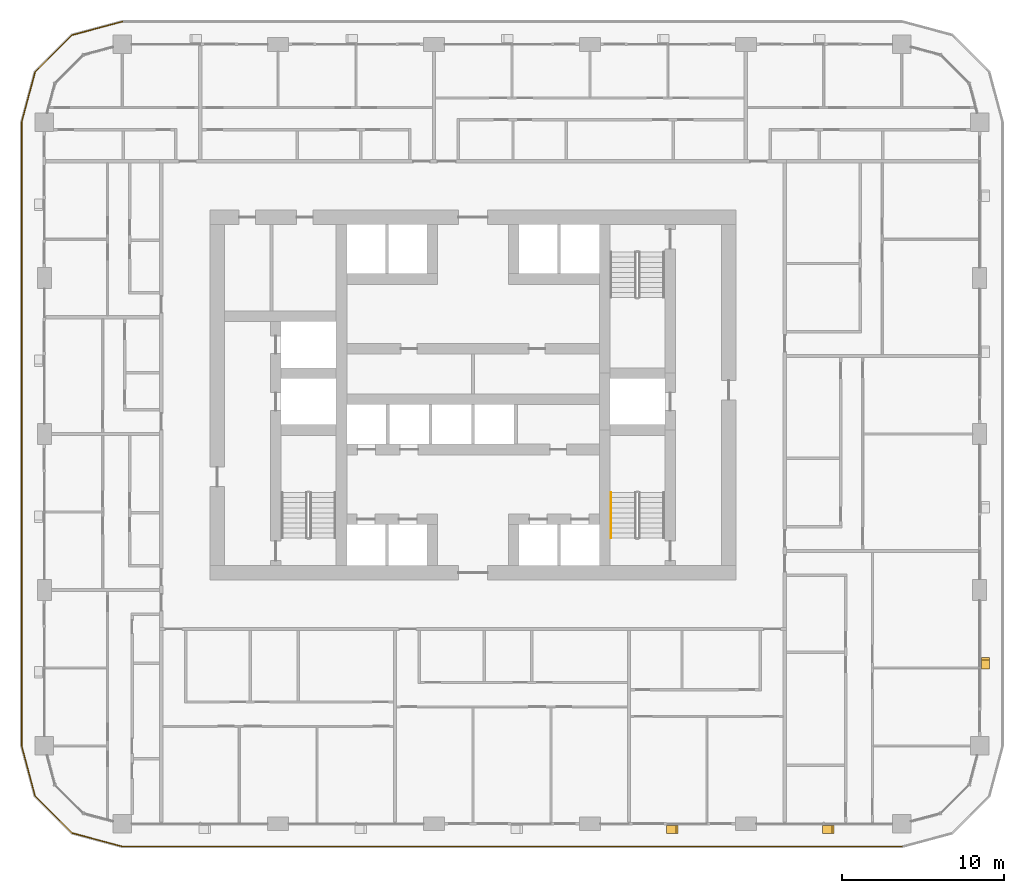
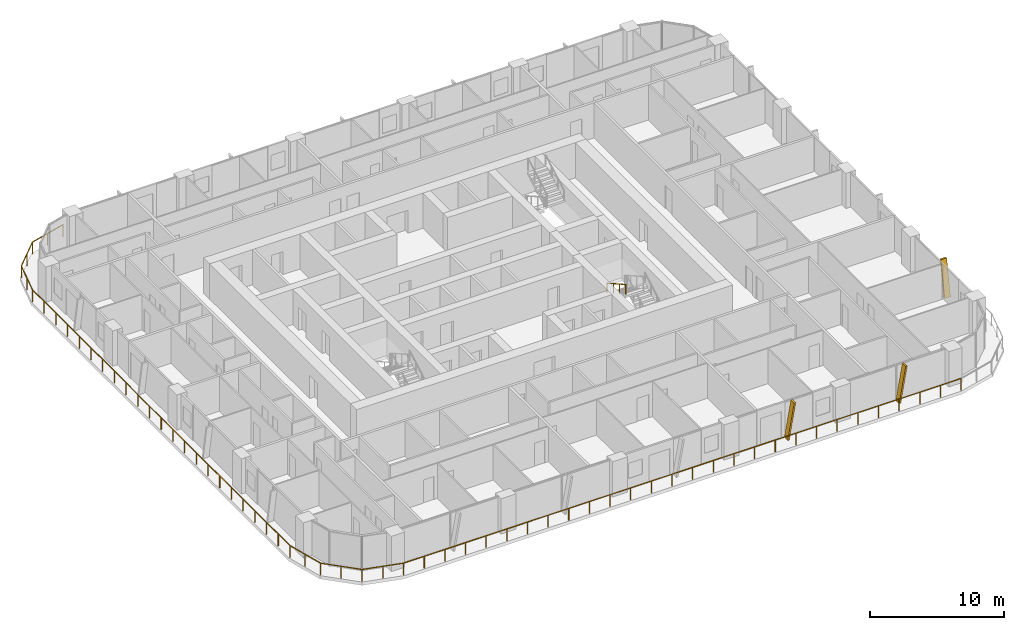
# One storey, part 19 of 22: 3 shading devices, 2 railings.
"""IFC4 building model written with IfcOpenShell, lengths in metres."""

from ifc_helpers import new_model, si_unit, direction, frame, origin, origin_2d, place, context, subcontext, project, spatial, polyline, circle, outline, extrude, material, type_object, element, save


model = new_model("IFC4")

# Units and contexts
model_context = context("Model", 3, precision=1e-05, world=origin(), true_north=direction((0.0, 1.0)))
body_context = subcontext(model_context, "Body", "Model", "MODEL_VIEW")
ifc_project = project(units=[si_unit("LENGTHUNIT", "METRE"), si_unit("AREAUNIT", "SQUARE_METRE"), si_unit("VOLUMEUNIT", "CUBIC_METRE"), si_unit("PLANEANGLEUNIT", "RADIAN"), si_unit("MASSUNIT", "GRAM", prefix="KILO")], contexts=[model_context])

# Site, building, storey
site_placement = place(None, origin())
site = spatial("IfcSite", under=ifc_project, at=site_placement, CompositionType="ELEMENT")
building_placement = place(site_placement, origin())
building = spatial("IfcBuilding", under=site, at=building_placement, Name="Madar Terraces", CompositionType="ELEMENT")
storey_placement = place(building_placement, frame((0.0, 0.0, 62.800048828125)))
storey = spatial("IfcBuildingStorey", under=building, at=storey_placement, Name="L15", CompositionType="ELEMENT", Elevation=62.800048828125)

# Railing
ifc_material_1 = material(Name="Glass, safety glazing, with stainless steel posts", Category="steel")
railing_type_1 = type_object("IfcRailingType", Name="Balcony glass guard 1100", PredefinedType="GUARDRAIL", material=ifc_material_1)
railing_1_placement = place(storey_placement, frame((9.60009765625, 49.39990234375, 0.0)))
element("IfcRailing", 1, at=railing_1_placement, inside=storey, type_object=railing_type_1, Name="Balcony guard", PredefinedType="GUARDRAIL", context=body_context, shape_type="SweptSolid", body=[
    extrude(circle(Radius=0.02392578125, at=origin_2d()), frame((0.0, 0.0, 1.076171875), z_axis=(-0.9659337912, -0.258789317819, 0.0), x_axis=(0.258789317819, -0.9659337912, 0.0)), (0.0, 0.0, 1.0), 3.20947265625),
    extrude(circle(Radius=0.02392578125, at=origin_2d()), frame((-3.10009765625, -0.83056640625, 1.076171875), z_axis=(-0.707106781187, -0.707106781187, 0.0), x_axis=(0.707106781187, -0.707106781187, 0.0)), (0.0, 0.0, 1.0), 3.209228515625),
    extrude(circle(Radius=0.02392578125, at=origin_2d()), frame((-5.369384765625, -3.099853515625, 1.076171875), z_axis=(-0.258860290944, -0.965914773555, 0.0), x_axis=(0.965914773555, -0.258860290944, 0.0)), (0.0, 0.0, 1.0), 3.20947265625),
    extrude(circle(Radius=0.02392578125, at=origin_2d()), frame((-6.2001953125, -6.199951171875, 1.076171875), z_axis=(0.0, -1.0, 0.0), x_axis=(1.0, 0.0, 0.0)), (0.0, 0.0, 1.0), 38.39990234375),
    extrude(circle(Radius=0.02392578125, at=origin_2d()), frame((-6.2001953125, -44.599853515625, 1.076171875), z_axis=(0.258860290944, -0.965914773555, 0.0), x_axis=(0.965914773555, 0.258860290944, 0.0)), (0.0, 0.0, 1.0), 3.20947265625),
    extrude(circle(Radius=0.02392578125, at=origin_2d()), frame((-5.369384765625, -47.699951171875, 1.076171875), z_axis=(0.707106781187, -0.707106781187, 0.0), x_axis=(0.707106781187, 0.707106781187, 0.0)), (0.0, 0.0, 1.0), 3.209228515625),
    extrude(circle(Radius=0.02392578125, at=origin_2d()), frame((-3.10009765625, -49.96923828125, 1.076171875), z_axis=(0.9659337912, -0.258789317819, 0.0), x_axis=(0.258789317819, 0.9659337912, 0.0)), (0.0, 0.0, 1.0), 3.20947265625),
    extrude(circle(Radius=0.02392578125, at=origin_2d()), frame((0.0, -50.7998046875, 1.076171875), z_axis=(1.0, 0.0, 0.0), x_axis=(0.0, 1.0, 0.0)), (0.0, 0.0, 1.0), 48.0),
    extrude(circle(Radius=0.02099609375, at=origin_2d()), origin(), (0.0, 0.0, 1.0), 1.052001953125),
    extrude(circle(Radius=0.02099609375, at=origin_2d()), frame((-1.550048828125, -0.415283203125, 0.0)), (0.0, 0.0, 1.0), 1.052001953125),
    extrude(circle(Radius=0.02099609375, at=origin_2d()), frame((-3.10009765625, -0.83056640625, 0.0)), (0.0, 0.0, 1.0), 1.052001953125),
    extrude(circle(Radius=0.02099609375, at=origin_2d()), frame((-4.23486328125, -1.96533203125, 0.0)), (0.0, 0.0, 1.0), 1.052001953125),
    extrude(circle(Radius=0.02099609375, at=origin_2d()), frame((-5.369384765625, -3.099853515625, 0.0)), (0.0, 0.0, 1.0), 1.052001953125),
    extrude(circle(Radius=0.02099609375, at=origin_2d()), frame((-5.78466796875, -4.64990234375, 0.0)), (0.0, 0.0, 1.0), 1.052001953125),
    extrude(circle(Radius=0.02099609375, at=origin_2d()), frame((-6.2001953125, -6.199951171875, 0.0)), (0.0, 0.0, 1.0), 1.052001953125),
    extrude(circle(Radius=0.02099609375, at=origin_2d()), frame((-6.2001953125, -7.9453125, 0.0)), (0.0, 0.0, 1.0), 1.052001953125),
    extrude(circle(Radius=0.02099609375, at=origin_2d()), frame((-6.2001953125, -9.69091796875, 0.0)), (0.0, 0.0, 1.0), 1.052001953125),
    extrude(circle(Radius=0.02099609375, at=origin_2d()), frame((-6.2001953125, -11.436279296875, 0.0)), (0.0, 0.0, 1.0), 1.052001953125),
    extrude(circle(Radius=0.02099609375, at=origin_2d()), frame((-6.2001953125, -13.181640625, 0.0)), (0.0, 0.0, 1.0), 1.052001953125),
    extrude(circle(Radius=0.02099609375, at=origin_2d()), frame((-6.2001953125, -14.92724609375, 0.0)), (0.0, 0.0, 1.0), 1.052001953125),
    extrude(circle(Radius=0.02099609375, at=origin_2d()), frame((-6.2001953125, -16.672607421875, 0.0)), (0.0, 0.0, 1.0), 1.052001953125),
    extrude(circle(Radius=0.02099609375, at=origin_2d()), frame((-6.2001953125, -18.418212890625, 0.0)), (0.0, 0.0, 1.0), 1.052001953125),
    extrude(circle(Radius=0.02099609375, at=origin_2d()), frame((-6.2001953125, -20.16357421875, 0.0)), (0.0, 0.0, 1.0), 1.052001953125),
    extrude(circle(Radius=0.02099609375, at=origin_2d()), frame((-6.2001953125, -21.908935546875, 0.0)), (0.0, 0.0, 1.0), 1.052001953125),
    extrude(circle(Radius=0.02099609375, at=origin_2d()), frame((-6.2001953125, -23.654541015625, 0.0)), (0.0, 0.0, 1.0), 1.052001953125),
    extrude(circle(Radius=0.02099609375, at=origin_2d()), frame((-6.2001953125, -25.39990234375, 0.0)), (0.0, 0.0, 1.0), 1.052001953125),
    extrude(circle(Radius=0.02099609375, at=origin_2d()), frame((-6.2001953125, -27.145263671875, 0.0)), (0.0, 0.0, 1.0), 1.052001953125),
    extrude(circle(Radius=0.02099609375, at=origin_2d()), frame((-6.2001953125, -28.890869140625, 0.0)), (0.0, 0.0, 1.0), 1.052001953125),
    extrude(circle(Radius=0.02099609375, at=origin_2d()), frame((-6.2001953125, -30.63623046875, 0.0)), (0.0, 0.0, 1.0), 1.052001953125),
    extrude(circle(Radius=0.02099609375, at=origin_2d()), frame((-6.2001953125, -32.381591796875, 0.0)), (0.0, 0.0, 1.0), 1.052001953125),
    extrude(circle(Radius=0.02099609375, at=origin_2d()), frame((-6.2001953125, -34.127197265625, 0.0)), (0.0, 0.0, 1.0), 1.052001953125),
    extrude(circle(Radius=0.02099609375, at=origin_2d()), frame((-6.2001953125, -35.87255859375, 0.0)), (0.0, 0.0, 1.0), 1.052001953125),
    extrude(circle(Radius=0.02099609375, at=origin_2d()), frame((-6.2001953125, -37.6181640625, 0.0)), (0.0, 0.0, 1.0), 1.052001953125),
    extrude(circle(Radius=0.02099609375, at=origin_2d()), frame((-6.2001953125, -39.363525390625, 0.0)), (0.0, 0.0, 1.0), 1.052001953125),
    extrude(circle(Radius=0.02099609375, at=origin_2d()), frame((-6.2001953125, -41.10888671875, 0.0)), (0.0, 0.0, 1.0), 1.052001953125),
    extrude(circle(Radius=0.02099609375, at=origin_2d()), frame((-6.2001953125, -42.8544921875, 0.0)), (0.0, 0.0, 1.0), 1.052001953125),
    extrude(circle(Radius=0.02099609375, at=origin_2d()), frame((-6.2001953125, -44.599853515625, 0.0)), (0.0, 0.0, 1.0), 1.052001953125),
    extrude(circle(Radius=0.02099609375, at=origin_2d()), frame((-5.78466796875, -46.14990234375, 0.0)), (0.0, 0.0, 1.0), 1.052001953125),
    extrude(circle(Radius=0.02099609375, at=origin_2d()), frame((-5.369384765625, -47.699951171875, 0.0)), (0.0, 0.0, 1.0), 1.052001953125),
    extrude(circle(Radius=0.02099609375, at=origin_2d()), frame((-4.23486328125, -48.83447265625, 0.0)), (0.0, 0.0, 1.0), 1.052001953125),
    extrude(circle(Radius=0.02099609375, at=origin_2d()), frame((-3.10009765625, -49.96923828125, 0.0)), (0.0, 0.0, 1.0), 1.052001953125),
    extrude(circle(Radius=0.02099609375, at=origin_2d()), frame((-1.550048828125, -50.384521484375, 0.0)), (0.0, 0.0, 1.0), 1.052001953125),
    extrude(circle(Radius=0.02099609375, at=origin_2d()), frame((0.0, -50.7998046875, 0.0)), (0.0, 0.0, 1.0), 1.052001953125),
    extrude(circle(Radius=0.02099609375, at=origin_2d()), frame((1.77783203125, -50.7998046875, 0.0)), (0.0, 0.0, 1.0), 1.052001953125),
    extrude(circle(Radius=0.02099609375, at=origin_2d()), frame((3.5556640625, -50.7998046875, 0.0)), (0.0, 0.0, 1.0), 1.052001953125),
    extrude(circle(Radius=0.02099609375, at=origin_2d()), frame((5.333251953125, -50.7998046875, 0.0)), (0.0, 0.0, 1.0), 1.052001953125),
    extrude(circle(Radius=0.02099609375, at=origin_2d()), frame((7.111083984375, -50.7998046875, 0.0)), (0.0, 0.0, 1.0), 1.052001953125),
    extrude(circle(Radius=0.02099609375, at=origin_2d()), frame((8.888916015625, -50.7998046875, 0.0)), (0.0, 0.0, 1.0), 1.052001953125),
    extrude(circle(Radius=0.02099609375, at=origin_2d()), frame((10.666748046875, -50.7998046875, 0.0)), (0.0, 0.0, 1.0), 1.052001953125),
    extrude(circle(Radius=0.02099609375, at=origin_2d()), frame((12.4443359375, -50.7998046875, 0.0)), (0.0, 0.0, 1.0), 1.052001953125),
    extrude(circle(Radius=0.02099609375, at=origin_2d()), frame((14.22216796875, -50.7998046875, 0.0)), (0.0, 0.0, 1.0), 1.052001953125),
    extrude(circle(Radius=0.02099609375, at=origin_2d()), frame((16.0, -50.7998046875, 0.0)), (0.0, 0.0, 1.0), 1.052001953125),
    extrude(circle(Radius=0.02099609375, at=origin_2d()), frame((17.77783203125, -50.7998046875, 0.0)), (0.0, 0.0, 1.0), 1.052001953125),
    extrude(circle(Radius=0.02099609375, at=origin_2d()), frame((19.5556640625, -50.7998046875, 0.0)), (0.0, 0.0, 1.0), 1.052001953125),
    extrude(circle(Radius=0.02099609375, at=origin_2d()), frame((21.333251953125, -50.7998046875, 0.0)), (0.0, 0.0, 1.0), 1.052001953125),
    extrude(circle(Radius=0.02099609375, at=origin_2d()), frame((23.111083984375, -50.7998046875, 0.0)), (0.0, 0.0, 1.0), 1.052001953125),
    extrude(circle(Radius=0.02099609375, at=origin_2d()), frame((24.888916015625, -50.7998046875, 0.0)), (0.0, 0.0, 1.0), 1.052001953125),
    extrude(circle(Radius=0.02099609375, at=origin_2d()), frame((26.666748046875, -50.7998046875, 0.0)), (0.0, 0.0, 1.0), 1.052001953125),
    extrude(circle(Radius=0.02099609375, at=origin_2d()), frame((28.4443359375, -50.7998046875, 0.0)), (0.0, 0.0, 1.0), 1.052001953125),
    extrude(circle(Radius=0.02099609375, at=origin_2d()), frame((30.22216796875, -50.7998046875, 0.0)), (0.0, 0.0, 1.0), 1.052001953125),
    extrude(circle(Radius=0.02099609375, at=origin_2d()), frame((32.0, -50.7998046875, 0.0)), (0.0, 0.0, 1.0), 1.052001953125),
    extrude(circle(Radius=0.02099609375, at=origin_2d()), frame((33.77783203125, -50.7998046875, 0.0)), (0.0, 0.0, 1.0), 1.052001953125),
    extrude(circle(Radius=0.02099609375, at=origin_2d()), frame((35.5556640625, -50.7998046875, 0.0)), (0.0, 0.0, 1.0), 1.052001953125),
    extrude(circle(Radius=0.02099609375, at=origin_2d()), frame((37.333251953125, -50.7998046875, 0.0)), (0.0, 0.0, 1.0), 1.052001953125),
    extrude(circle(Radius=0.02099609375, at=origin_2d()), frame((39.111083984375, -50.7998046875, 0.0)), (0.0, 0.0, 1.0), 1.052001953125),
    extrude(circle(Radius=0.02099609375, at=origin_2d()), frame((40.888916015625, -50.7998046875, 0.0)), (0.0, 0.0, 1.0), 1.052001953125),
    extrude(circle(Radius=0.02099609375, at=origin_2d()), frame((42.666748046875, -50.7998046875, 0.0)), (0.0, 0.0, 1.0), 1.052001953125),
    extrude(circle(Radius=0.02099609375, at=origin_2d()), frame((44.4443359375, -50.7998046875, 0.0)), (0.0, 0.0, 1.0), 1.052001953125),
    extrude(circle(Radius=0.02099609375, at=origin_2d()), frame((46.22216796875, -50.7998046875, 0.0)), (0.0, 0.0, 1.0), 1.052001953125),
    extrude(circle(Radius=0.02099609375, at=origin_2d()), frame((48.0, -50.7998046875, 0.0)), (0.0, 0.0, 1.0), 1.052001953125),
])

# Shading devices
ifc_material_2 = material(Name="Aluminium, black anodised", Category="aluminium")
shading_device_type = type_object("IfcShadingDeviceType", Name="Facade fin blade 140 x 500", PredefinedType="USERDEFINED", material=ifc_material_2)
for number, where, z_axis, x_axis, name in (
    (2, (43.1298828125, -0.35009765625, 0.0), (0.0, 0.0, 1.0), (1.0, 0.0, 0.0), "FIN L15 S4"),
    (3, (52.72998046875, -0.35009765625, 0.0), (0.0, 0.0, 1.0), (1.0, 0.0, 0.0), "FIN L15 S5"),
):
    element("IfcShadingDevice", number, at=place(storey_placement, frame(where, z_axis=z_axis, x_axis=x_axis)), inside=storey, type_object=shading_device_type, Name=name, ObjectType="FIN", PredefinedType="USERDEFINED", context=body_context, shape_type="SweptSolid", body=[
        extrude(outline(polyline([(0.0, 0.0), (0.14013671875, 0.0), (0.704345703125, 3.199951171875), (0.564208984375, 3.199951171875), (0.0, 0.0)])), frame((0.0, 0.25, 0.0), z_axis=(0.0, -1.0, 0.0), x_axis=(1.0, 0.0, 0.0)), (0.0, 0.0, 1.0), 0.5),
    ])
shading_device_placement = place(storey_placement, frame((62.75, 9.530029296875, 0.0), z_axis=(0.0, 0.0, 1.0), x_axis=(0.0, 1.0, 0.0)))
element("IfcShadingDevice", 4, at=shading_device_placement, inside=storey, type_object=shading_device_type, Name="FIN L15 E1", ObjectType="FIN", PredefinedType="USERDEFINED", context=body_context, shape_type="SweptSolid", body=[
    extrude(outline(polyline([(0.0, 0.0), (0.139892578125, 0.0), (0.704345703125, 3.199951171875), (0.564208984375, 3.199951171875), (0.0, 0.0)])), frame((0.0, 0.25, 0.0), z_axis=(0.0, -1.0, 0.0), x_axis=(1.0, 0.0, 0.0)), (0.0, 0.0, 1.0), 0.5),
])

# Railing
ifc_material_3 = material(Name="Stainless steel railing", Category="steel")
railing_type_2 = type_object("IfcRailingType", Name="Stair handrail 900", PredefinedType="HANDRAIL", material=ifc_material_3)
railing_2_placement = place(storey_placement, frame((39.699951171875, 20.389892578125, 1.925048828125)))
element("IfcRailing", 5, at=railing_2_placement, inside=storey, type_object=railing_type_2, Name="L15 ST3 stair handrail 2", PredefinedType="HANDRAIL", context=body_context, shape_type="SweptSolid", body=[
    extrude(circle(Radius=0.02392578125, at=origin_2d()), frame((0.0, 0.0, 0.8759765625), z_axis=(0.0, -0.870815363784, 0.491610213684), x_axis=(1.0, 0.0, 0.0)), (0.0, 0.0, 1.0), 3.20361328125),
    extrude(circle(Radius=0.02099609375, at=origin_2d()), origin(), (0.0, 0.0, 1.0), 0.851806640625),
    extrude(circle(Radius=0.02099609375, at=origin_2d()), frame((0.0, -0.929931640625, 0.52490234375)), (0.0, 0.0, 1.0), 0.851806640625),
    extrude(circle(Radius=0.02099609375, at=origin_2d()), frame((0.0, -1.85986328125, 1.050048828125)), (0.0, 0.0, 1.0), 0.851806640625),
    extrude(circle(Radius=0.02099609375, at=origin_2d()), frame((0.0, -2.789794921875, 1.574951171875)), (0.0, 0.0, 1.0), 0.851806640625),
])

save(model, "model.ifc")
